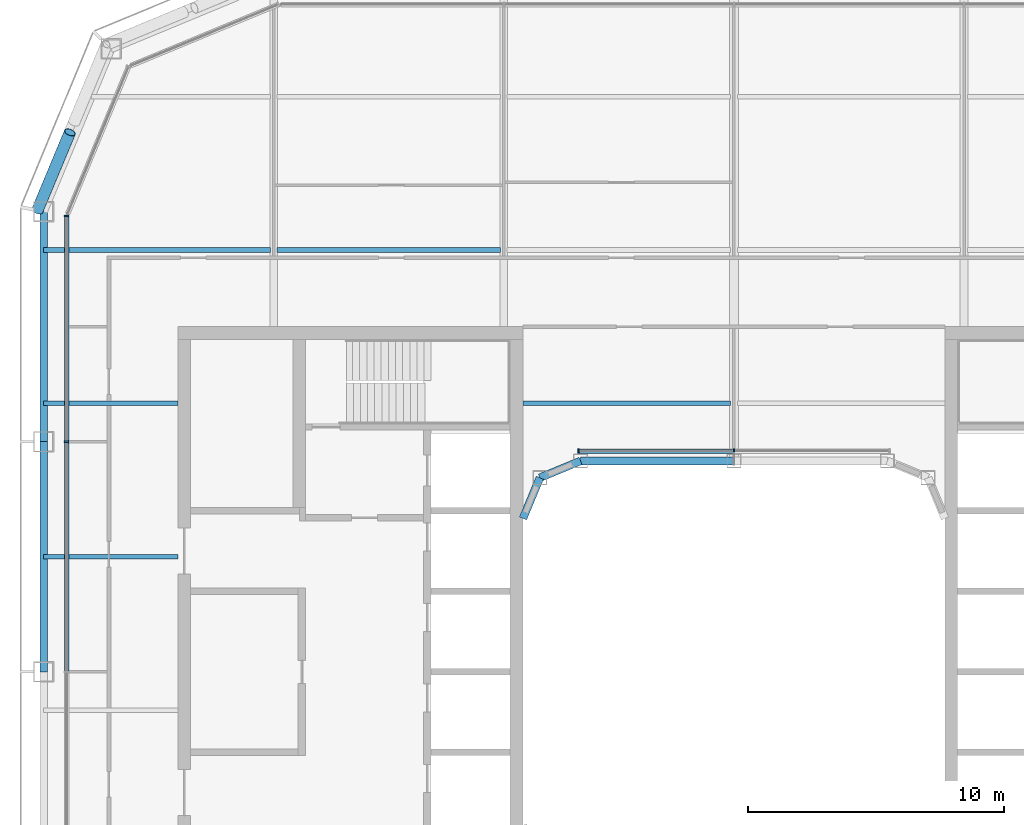
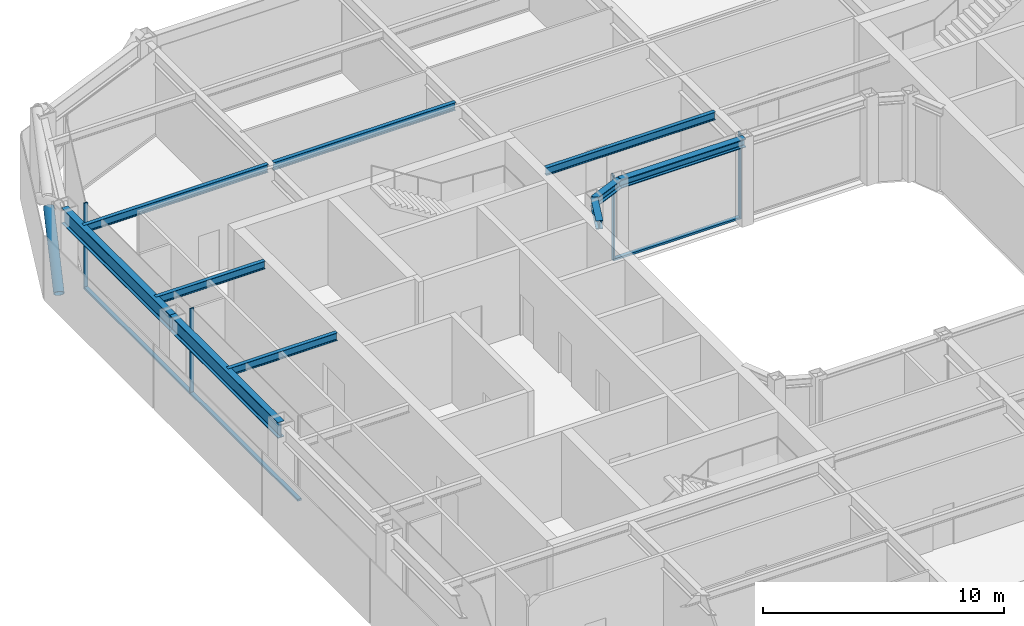
# One storey, part 6 of 19: 10 beams, 8 members, 2 elements without a shape of their own.
"""IFC4 building model written with IfcOpenShell, lengths in metres."""

from ifc_helpers import new_model, si_unit, direction, frame, origin, origin_2d, place, context, subcontext, project, spatial, rectangle, hollow_circle, i_section, extrude, material, layer, layer_set, material_profile, profile_set, type_object, element, aggregate, save


model = new_model("IFC4")

# Units and contexts
model_context = context("Model", 3, precision=1e-05, world=origin(), true_north=direction((0.0, 1.0)))
body_context = subcontext(model_context, "Body", "Model", "MODEL_VIEW")
ifc_project = project(units=[si_unit("LENGTHUNIT", "METRE"), si_unit("AREAUNIT", "SQUARE_METRE"), si_unit("VOLUMEUNIT", "CUBIC_METRE"), si_unit("PLANEANGLEUNIT", "RADIAN"), si_unit("MASSUNIT", "GRAM", prefix="KILO")], contexts=[model_context])

# Site, building, storey
site_placement = place(None, origin())
site = spatial("IfcSite", under=ifc_project, at=site_placement, CompositionType="ELEMENT")
building_placement = place(site_placement, origin())
building = spatial("IfcBuilding", under=site, at=building_placement, Name="Siwar Civic Tower", CompositionType="ELEMENT")
storey_placement = place(building_placement, frame((0.0, 0.0, 264.699951171875)))
storey = spatial("IfcBuildingStorey", under=building, at=storey_placement, Name="L57", CompositionType="ELEMENT", Elevation=264.699951171875)

# Curtain wall, members
ifc_material_1 = material(Name="Aluminium and glass", Category="aluminium")
ifc_layer_1 = layer(ifc_material_1, 0.179931640625)
ifc_layer_set_1 = layer_set([ifc_layer_1], Name="Aluminium and glass")
curtain_wall_type_1 = type_object("IfcCurtainWallType", Name="ENV-CW-C", PredefinedType="NOTDEFINED", material=ifc_layer_set_1)
curtain_wall_1_placement = place(storey_placement, origin())
curtain_wall_1 = element("IfcCurtainWall", 1, at=curtain_wall_1_placement, inside=storey, type_object=curtain_wall_type_1, Name="Curtain wall C W", PredefinedType="NOTDEFINED")
ifc_material_2 = material(Name="Aluminium 6063-T6", Category="aluminium")
ifc_material_profile_1 = material_profile(ifc_material_2, rectangle(XDim=0.179931640625, YDim=0.06005859375, at=origin_2d()), Name="AL 180x60")
ifc_profile_set_1 = profile_set([ifc_material_profile_1], Name="Aluminium 6063-T6")
member_type_1 = type_object("IfcMemberType", Name="ENV-MULLION-C", PredefinedType="MULLION", material=ifc_profile_set_1)
member_1_placement = place(storey_placement, frame((-26.10009765625, 17.821044921875, 0.0), z_axis=(0.0, 0.0, 1.0), x_axis=(1.0, 0.0, 0.0)))
member_1 = element("IfcMember", 2, at=member_1_placement, type_object=member_type_1, Name="Mullion C W 1", PredefinedType="MULLION", context=body_context, shape_type="SweptSolid", body=[
    extrude(rectangle(XDim=0.179931640625, YDim=0.06005859375, at=origin_2d()), origin(), (0.0, 0.0, 1.0), 4.35009765625),
])
member_2_placement = place(storey_placement, frame((-26.10009765625, 9.0, 0.0), z_axis=(0.0, 0.0, 1.0), x_axis=(1.0, 0.0, 0.0)))
member_2 = element("IfcMember", 3, at=member_2_placement, type_object=member_type_1, Name="Mullion C W 2", PredefinedType="MULLION", context=body_context, shape_type="SweptSolid", body=[
    extrude(rectangle(XDim=0.179931640625, YDim=0.06005859375, at=origin_2d()), origin(), (0.0, 0.0, 1.0), 4.35009765625),
])

ifc_material_3 = material(Name="Aluminium and glass", Category="aluminium")
ifc_layer_2 = layer(ifc_material_3, 0.179931640625)
ifc_layer_set_2 = layer_set([ifc_layer_2], Name="Aluminium and glass")
curtain_wall_type_2 = type_object("IfcCurtainWallType", Name="ENV-CW-W", PredefinedType="NOTDEFINED", material=ifc_layer_set_2)
curtain_wall_2_placement = place(storey_placement, origin())
curtain_wall_2 = element("IfcCurtainWall", 4, at=curtain_wall_2_placement, inside=storey, type_object=curtain_wall_type_2, Name="Curtain wall W WN", PredefinedType="NOTDEFINED")
ifc_material_4 = material(Name="Aluminium 6063-T6", Category="aluminium")
ifc_material_profile_2 = material_profile(ifc_material_4, rectangle(XDim=0.179931640625, YDim=0.06005859375, at=origin_2d()), Name="AL 180x60")
ifc_profile_set_2 = profile_set([ifc_material_profile_2], Name="Aluminium 6063-T6")
member_type_2 = type_object("IfcMemberType", Name="ENV-MULLION-W", PredefinedType="MULLION", material=ifc_profile_set_2)
member_3_placement = place(storey_placement, frame((0.0, 8.635009765625, 0.0), z_axis=(0.0, 0.0, 1.0), x_axis=(0.0, -1.0, 0.0)))
member_3 = element("IfcMember", 5, at=member_3_placement, type_object=member_type_2, Name="Mullion W WN 2", PredefinedType="MULLION", context=body_context, shape_type="SweptSolid", body=[
    extrude(rectangle(XDim=0.179931640625, YDim=0.06005859375, at=origin_2d()), origin(), (0.0, 0.0, 1.0), 4.35009765625),
])
member_4_placement = place(storey_placement, frame((-6.07666015625, 8.635009765625, 0.0), z_axis=(0.0, 0.0, 1.0), x_axis=(0.0, -1.0, 0.0)))
member_4 = element("IfcMember", 6, at=member_4_placement, type_object=member_type_2, Name="Mullion W WN 3", PredefinedType="MULLION", context=body_context, shape_type="SweptSolid", body=[
    extrude(rectangle(XDim=0.179931640625, YDim=0.06005859375, at=origin_2d()), origin(), (0.0, 0.0, 1.0), 4.35009765625),
])

# Member
ifc_material_5 = material(Name="Aluminium 6063-T6", Category="aluminium")
ifc_material_profile_3 = material_profile(ifc_material_5, rectangle(XDim=0.179931640625, YDim=0.10009765625, at=origin_2d()), Name="AL 180x100")
ifc_profile_set_3 = profile_set([ifc_material_profile_3], Name="Aluminium 6063-T6")
member_type_3 = type_object("IfcMemberType", Name="ENV-TRANSOM-C", PredefinedType="USERDEFINED", material=ifc_profile_set_3)
member_5_placement = place(storey_placement, frame((-26.10009765625, 17.791015625, 0.050048828125), z_axis=(0.0, -1.0, 0.0), x_axis=(1.0, 0.0, 0.0)))
member_5 = element("IfcMember", 7, at=member_5_placement, type_object=member_type_3, Name="Transom C W 1", ObjectType="TRANSOM", PredefinedType="USERDEFINED", context=body_context, shape_type="SweptSolid", body=[
    extrude(rectangle(XDim=0.179931640625, YDim=0.10009765625, at=origin_2d()), origin(), (0.0, 0.0, 1.0), 8.760986328125),
])

member_6_placement = place(storey_placement, frame((-26.10009765625, 8.969970703125, 0.050048828125), z_axis=(0.0, -1.0, 0.0), x_axis=(1.0, 0.0, 0.0)))
member_6 = element("IfcMember", 8, at=member_6_placement, type_object=member_type_3, Name="Transom C W 2", ObjectType="TRANSOM", PredefinedType="USERDEFINED", context=body_context, shape_type="SweptSolid", body=[
    extrude(rectangle(XDim=0.179931640625, YDim=0.10009765625, at=origin_2d()), origin(), (0.0, 0.0, 1.0), 8.93994140625),
])

aggregate(curtain_wall_1, [member_1, member_2, member_5, member_6])

ifc_material_6 = material(Name="Aluminium 6063-T6", Category="aluminium")
ifc_material_profile_4 = material_profile(ifc_material_6, rectangle(XDim=0.179931640625, YDim=0.10009765625, at=origin_2d()), Name="AL 180x100")
ifc_profile_set_4 = profile_set([ifc_material_profile_4], Name="Aluminium 6063-T6")
member_type_4 = type_object("IfcMemberType", Name="ENV-TRANSOM-W", PredefinedType="USERDEFINED", material=ifc_profile_set_4)
member_7_placement = place(storey_placement, frame((-0.030029296875, 8.635009765625, 0.050048828125), z_axis=(-1.0, 0.0, 0.0), x_axis=(0.0, -1.0, 0.0)))
member_7 = element("IfcMember", 9, at=member_7_placement, type_object=member_type_4, Name="Transom W WN 2", ObjectType="TRANSOM", PredefinedType="USERDEFINED", context=body_context, shape_type="SweptSolid", body=[
    extrude(rectangle(XDim=0.179931640625, YDim=0.10009765625, at=origin_2d()), origin(), (0.0, 0.0, 1.0), 6.0166015625),
])

aggregate(curtain_wall_2, [member_3, member_4, member_7])

ifc_material_7 = material(Name="Steel S355", Category="steel")
ifc_material_profile_5 = material_profile(ifc_material_7, hollow_circle(Radius=0.228515625, WallThickness=0.02001953125, at=origin_2d()), Name="CHS457x20")
ifc_profile_set_5 = profile_set([ifc_material_profile_5], Name="Steel S355")
member_type_5 = type_object("IfcMemberType", Name="STR-BR-CHS457x20", PredefinedType="BRACE", material=ifc_profile_set_5)
member_8_placement = place(storey_placement, frame((-27.2451171875, 18.048828125, 0.0), z_axis=(0.323884455881, 0.777546448489, 0.538999424564), x_axis=(-0.92311621485, 0.38452107079, 0.0)))
element("IfcMember", 10, at=member_8_placement, inside=storey, type_object=member_type_5, Name="L57/brc/CNW1-17-0-2", PredefinedType="BRACE", context=body_context, shape_type="SweptSolid", body=[
    extrude(hollow_circle(Radius=0.228515625, WallThickness=0.02001953125, at=origin_2d()), origin(), (0.0, 0.0, 1.0), 3.927978515625),
])

# Beams
ifc_material_8 = material(Name="Steel S355", Category="steel")
ifc_material_profile_6 = material_profile(ifc_material_8, i_section(OverallWidth=0.179931640625, OverallDepth=0.39990234375, WebThickness=0.008544921875, FlangeThickness=0.013427734375, FilletRadius=0.02099609375, at=origin_2d()), Name="IPE400")
ifc_profile_set_6 = profile_set([ifc_material_profile_6], Name="Steel S355")
beam_type_1 = type_object("IfcBeamType", Name="STR-FB-IPE400", PredefinedType="JOIST", material=ifc_profile_set_6)
for number, where, z_axis, x_axis, name in (
    (11, (-27.0, 4.5, 4.150146484375), (1.0, 0.0, 0.0), (0.0, 1.0, 0.0), "L57/bm/F025"),
    (12, (-27.0, 10.5, 4.150146484375), (1.0, 0.0, 0.0), (0.0, 1.0, 0.0), "L57/bm/F027"),
):
    element("IfcBeam", number, at=place(storey_placement, frame(where, z_axis=z_axis, x_axis=x_axis)), inside=storey, type_object=beam_type_1, Name=name, PredefinedType="JOIST", context=body_context, shape_type="SweptSolid", body=[
        extrude(i_section(OverallWidth=0.179931640625, OverallDepth=0.39990234375, WebThickness=0.008544921875, FlangeThickness=0.013427734375, FilletRadius=0.02099609375, at=origin_2d()), origin(), (0.0, 0.0, 1.0), 5.25),
    ])
beam_1_placement = place(storey_placement, frame((-8.25, 10.5, 4.150146484375), z_axis=(1.0, 0.0, 0.0), x_axis=(0.0, 1.0, 0.0)))
element("IfcBeam", 13, at=beam_1_placement, inside=storey, type_object=beam_type_1, Name="L57/bm/F028", PredefinedType="JOIST", context=body_context, shape_type="SweptSolid", body=[
    extrude(i_section(OverallWidth=0.179931640625, OverallDepth=0.39990234375, WebThickness=0.008544921875, FlangeThickness=0.013427734375, FilletRadius=0.02099609375, at=origin_2d()), origin(), (0.0, 0.0, 1.0), 8.1201171875),
])
beam_2_placement = place(storey_placement, frame((-27.0, 16.5, 4.150146484375), z_axis=(1.0, 0.0, 0.0), x_axis=(0.0, 1.0, 0.0)))
element("IfcBeam", 14, at=beam_2_placement, inside=storey, type_object=beam_type_1, Name="L57/bm/F031", PredefinedType="JOIST", context=body_context, shape_type="SweptSolid", body=[
    extrude(i_section(OverallWidth=0.179931640625, OverallDepth=0.39990234375, WebThickness=0.008544921875, FlangeThickness=0.013427734375, FilletRadius=0.02099609375, at=origin_2d()), origin(), (0.0, 0.0, 1.0), 8.8701171875),
])
beam_3_placement = place(storey_placement, frame((-17.8701171875, 16.5, 4.150146484375), z_axis=(1.0, 0.0, 0.0), x_axis=(0.0, 1.0, 0.0)))
element("IfcBeam", 15, at=beam_3_placement, inside=storey, type_object=beam_type_1, Name="L57/bm/F032", PredefinedType="JOIST", context=body_context, shape_type="SweptSolid", body=[
    extrude(i_section(OverallWidth=0.179931640625, OverallDepth=0.39990234375, WebThickness=0.008544921875, FlangeThickness=0.013427734375, FilletRadius=0.02099609375, at=origin_2d()), origin(), (0.0, 0.0, 1.0), 8.740234375),
])
ifc_material_9 = material(Name="Steel S355", Category="steel")
ifc_material_profile_7 = material_profile(ifc_material_9, i_section(OverallWidth=0.306884765625, OverallDepth=0.431884765625, WebThickness=0.02099609375, FlangeThickness=0.0400390625, FilletRadius=0.027099609375, at=origin_2d()), Name="HEM400")
ifc_profile_set_7 = profile_set([ifc_material_profile_7], Name="Steel S355")
beam_type_2 = type_object("IfcBeamType", Name="STR-RB-HEM400", PredefinedType="BEAM", material=ifc_profile_set_7)
beam_4_placement = place(storey_placement, frame((-7.591064453125, 7.591064453125, 4.134033203125), z_axis=(0.923901072997, 0.382631424892, 0.0), x_axis=(-0.382631424892, 0.923901072997, 0.0)))
element("IfcBeam", 16, at=beam_4_placement, inside=storey, type_object=beam_type_2, Name="L57/bm/RN0", PredefinedType="BEAM", context=body_context, shape_type="SweptSolid", body=[
    extrude(i_section(OverallWidth=0.306884765625, OverallDepth=0.431884765625, WebThickness=0.02099609375, FlangeThickness=0.0400390625, FilletRadius=0.027099609375, at=origin_2d()), origin(), (0.0, 0.0, 1.0), 1.72216796875),
])
beam_5_placement = place(storey_placement, frame((-6.0, 8.25, 4.134033203125), z_axis=(1.0, 0.0, 0.0), x_axis=(0.0, 1.0, 0.0)))
element("IfcBeam", 17, at=beam_5_placement, inside=storey, type_object=beam_type_2, Name="L57/bm/RN1", PredefinedType="BEAM", context=body_context, shape_type="SweptSolid", body=[
    extrude(i_section(OverallWidth=0.306884765625, OverallDepth=0.431884765625, WebThickness=0.02099609375, FlangeThickness=0.0400390625, FilletRadius=0.027099609375, at=origin_2d()), origin(), (0.0, 0.0, 1.0), 6.0),
])
beam_6_placement = place(storey_placement, frame((-7.591064453125, 7.591064453125, 4.134033203125), z_axis=(-0.382631424892, -0.923901072997, 0.0), x_axis=(0.923901072997, -0.382631424892, 0.0)))
element("IfcBeam", 18, at=beam_6_placement, inside=storey, type_object=beam_type_2, Name="L57/bm/RNEW", PredefinedType="BEAM", context=body_context, shape_type="SweptSolid", body=[
    extrude(i_section(OverallWidth=0.306884765625, OverallDepth=0.431884765625, WebThickness=0.02099609375, FlangeThickness=0.0400390625, FilletRadius=0.027099609375, at=origin_2d()), origin(), (0.0, 0.0, 1.0), 1.72216796875),
])
ifc_material_10 = material(Name="Steel S355", Category="steel")
ifc_material_profile_8 = material_profile(ifc_material_10, i_section(OverallWidth=0.300048828125, OverallDepth=0.800048828125, WebThickness=0.017578125, FlangeThickness=0.032958984375, FilletRadius=0.030029296875, at=origin_2d()), Name="HEB800")
ifc_profile_set_8 = profile_set([ifc_material_profile_8], Name="Steel S355")
beam_type_3 = type_object("IfcBeamType", Name="STR-SB-HEB800", PredefinedType="BEAM", material=ifc_profile_set_8)
for number, where, z_axis, x_axis, name in (
    (19, (-27.0, 18.0, 3.949951171875), (0.0, -1.0, 0.0), (1.0, 0.0, 0.0), "L57/bm/SW-0"),
    (20, (-27.0, 9.0, 3.949951171875), (0.0, -1.0, 0.0), (1.0, 0.0, 0.0), "L57/bm/SW-1"),
):
    element("IfcBeam", number, at=place(storey_placement, frame(where, z_axis=z_axis, x_axis=x_axis)), inside=storey, type_object=beam_type_3, Name=name, PredefinedType="BEAM", context=body_context, shape_type="SweptSolid", body=[
        extrude(i_section(OverallWidth=0.300048828125, OverallDepth=0.800048828125, WebThickness=0.017578125, FlangeThickness=0.032958984375, FilletRadius=0.030029296875, at=origin_2d()), origin(), (0.0, 0.0, 1.0), 9.0),
    ])

save(model, "model.ifc")
